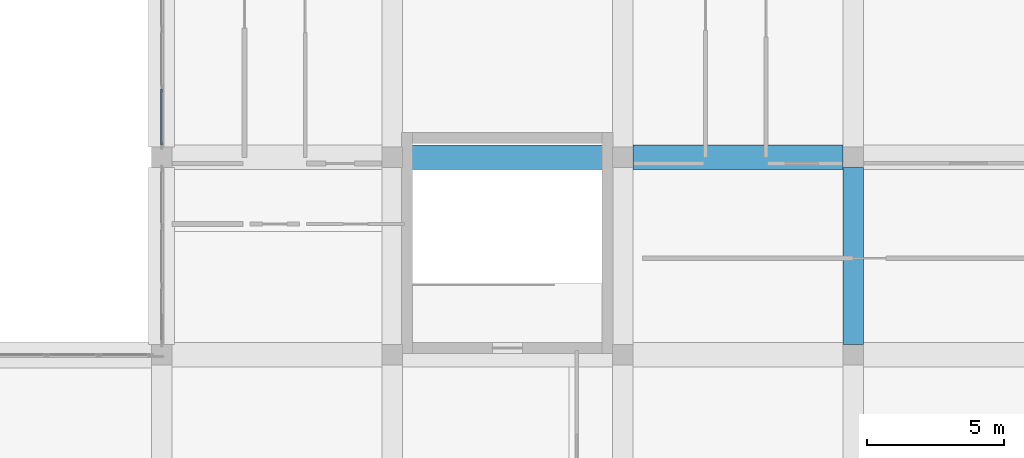
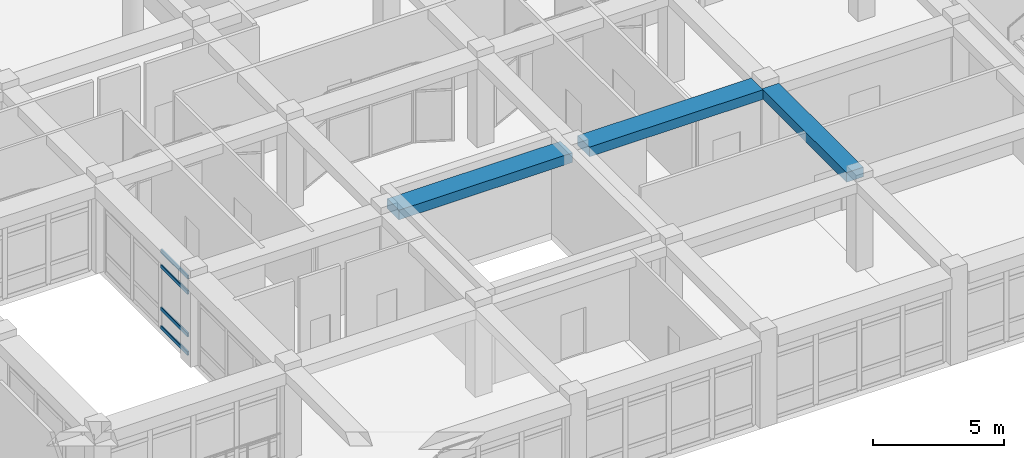
# One storey, part 19 of 121: 4 members, 3 beams, 1 element without a shape of its own.
"""IFC4 building model written with IfcOpenShell, lengths in metres."""

from ifc_helpers import new_model, si_unit, derived_unit, direction, frame, origin, origin_2d, place, context, subcontext, project, spatial, rectangle, hollow_rectangle, extrude, material, material_profile, profile_set, type_object, element, aggregate, save


model = new_model("IFC4")

# Units and contexts
model_context = context("Model", 3, precision=1e-05, world=origin(), true_north=direction((0.0, 1.0)))
body_context = subcontext(model_context, "Body", "Model", "MODEL_VIEW")
ifc_project = project(units=[si_unit("LENGTHUNIT", "METRE"), si_unit("AREAUNIT", "SQUARE_METRE"), si_unit("VOLUMEUNIT", "CUBIC_METRE"), si_unit("PLANEANGLEUNIT", "RADIAN"), si_unit("MASSUNIT", "GRAM", prefix="KILO"), derived_unit("THERMALTRANSMITTANCEUNIT", [(si_unit("POWERUNIT", "WATT"), 1), (si_unit("LENGTHUNIT", "METRE"), -2), (si_unit("THERMODYNAMICTEMPERATUREUNIT", "KELVIN"), -1)])], contexts=[model_context])

# Site, building, storey
site_placement = place(None, origin())
site = spatial("IfcSite", under=ifc_project, at=site_placement, CompositionType="ELEMENT")
building_placement = place(site_placement, origin())
building = spatial("IfcBuilding", under=site, at=building_placement, Name="Veybourne Emporium", CompositionType="ELEMENT")
storey_placement = place(building_placement, frame((0.0, 0.0, 5.39990234375)))
storey = spatial("IfcBuildingStorey", under=building, at=storey_placement, Name="L01", CompositionType="ELEMENT", Elevation=5.39990234375)

# Curtain wall, members
ifc_material_1 = material(Name="Patinated Architectural Bronze", Category="bronze")
curtain_wall_type = type_object("IfcCurtainWallType", Name="CWSystem_CWS-14", PredefinedType="NOTDEFINED", material=ifc_material_1)
curtain_wall_placement = place(storey_placement, origin())
curtain_wall = element("IfcCurtainWall", 1, at=curtain_wall_placement, inside=storey, type_object=curtain_wall_type, Name="L01 bronze glazed curtain wall CWS-14 (039)", PredefinedType="NOTDEFINED")
ifc_material_profile_1 = material_profile(ifc_material_1, hollow_rectangle(XDim=0.074951171875, YDim=0.179931640625, WallThickness=0.0048828125, InnerFilletRadius=0.007568359375, OuterFilletRadius=0.012451171875, at=origin_2d()), Name="CWT 75x180x5")
ifc_profile_set_1 = profile_set([ifc_material_profile_1], Name="Patinated Architectural Bronze")
member_type = type_object("IfcMemberType", Name="CWTransom_CW-T2", PredefinedType="NOTDEFINED", material=ifc_profile_set_1)
member_1_placement = place(storey_placement, frame((67.199951171875, 14.85009765625, 0.03759765625), z_axis=(0.0, 1.0, 0.0), x_axis=(-1.0, 0.0, 0.0)))
member_1 = element("IfcMember", 2, at=member_1_placement, type_object=member_type, Name="CWS-14 transom 1.1", ObjectType="TRANSOM", PredefinedType="USERDEFINED", context=body_context, shape_type="SweptSolid", body=[
    extrude(hollow_rectangle(XDim=0.074951171875, YDim=0.179931640625, WallThickness=0.0048828125, InnerFilletRadius=0.007568359375, OuterFilletRadius=0.012451171875, at=origin_2d()), origin(), (0.0, 0.0, 1.0), 2.037353515625),
])
member_2_placement = place(storey_placement, frame((67.199951171875, 14.85009765625, 0.900146484375), z_axis=(0.0, 1.0, 0.0), x_axis=(-1.0, 0.0, 0.0)))
member_2 = element("IfcMember", 3, at=member_2_placement, type_object=member_type, Name="CWS-14 transom 1.2", ObjectType="TRANSOM", PredefinedType="USERDEFINED", context=body_context, shape_type="SweptSolid", body=[
    extrude(hollow_rectangle(XDim=0.074951171875, YDim=0.179931640625, WallThickness=0.0048828125, InnerFilletRadius=0.007568359375, OuterFilletRadius=0.012451171875, at=origin_2d()), origin(), (0.0, 0.0, 1.0), 2.037353515625),
])
member_3_placement = place(storey_placement, frame((67.199951171875, 14.85009765625, 2.880126953125), z_axis=(0.0, 1.0, 0.0), x_axis=(-1.0, 0.0, 0.0)))
member_3 = element("IfcMember", 4, at=member_3_placement, type_object=member_type, Name="CWS-14 transom 1.3", ObjectType="TRANSOM", PredefinedType="USERDEFINED", context=body_context, shape_type="SweptSolid", body=[
    extrude(hollow_rectangle(XDim=0.074951171875, YDim=0.179931640625, WallThickness=0.0048828125, InnerFilletRadius=0.007568359375, OuterFilletRadius=0.012451171875, at=origin_2d()), origin(), (0.0, 0.0, 1.0), 2.037353515625),
])
member_4_placement = place(storey_placement, frame((67.199951171875, 14.85009765625, 3.592529296875), z_axis=(0.0, 1.0, 0.0), x_axis=(-1.0, 0.0, 0.0)))
member_4 = element("IfcMember", 5, at=member_4_placement, type_object=member_type, Name="CWS-14 transom 1.4", ObjectType="TRANSOM", PredefinedType="USERDEFINED", context=body_context, shape_type="SweptSolid", body=[
    extrude(hollow_rectangle(XDim=0.074951171875, YDim=0.179931640625, WallThickness=0.0048828125, InnerFilletRadius=0.007568359375, OuterFilletRadius=0.012451171875, at=origin_2d()), origin(), (0.0, 0.0, 1.0), 2.037353515625),
])
aggregate(curtain_wall, [member_1, member_2, member_3, member_4])

# Beams
ifc_material_2 = material(Name="Concrete C32/40", Category="concrete")
ifc_material_profile_2 = material_profile(ifc_material_2, rectangle(XDim=0.89990234375, YDim=0.449951171875, at=origin_2d()), Name="RC 900x450")
ifc_profile_set_2 = profile_set([ifc_material_profile_2], Name="Concrete C32/40")
beam_type_1 = type_object("IfcBeamType", Name="RCBeam_BB-03", PredefinedType="BEAM", material=ifc_profile_set_2)
for number, where, z_axis, x_axis, name in (
    (6, (75.97509765625, 14.39990234375, 3.955078125), (1.0, 0.0, 0.0), (0.0, 1.0, 0.0), "L01 X-grid beam BB-03 (9,2)"),
    (7, (84.375, 14.39990234375, 3.955078125), (1.0, 0.0, 0.0), (0.0, 1.0, 0.0), "L01 X-grid beam BB-03 (10,2)"),
):
    element("IfcBeam", number, at=place(storey_placement, frame(where, z_axis=z_axis, x_axis=x_axis)), inside=storey, type_object=beam_type_1, Name=name, PredefinedType="BEAM", context=body_context, shape_type="SweptSolid", body=[
        extrude(rectangle(XDim=0.89990234375, YDim=0.449951171875, at=origin_2d()), origin(), (0.0, 0.0, 1.0), 7.64990234375),
    ])
ifc_material_profile_3 = material_profile(ifc_material_2, rectangle(XDim=0.75, YDim=0.449951171875, at=origin_2d()), Name="RC 750x450")
ifc_profile_set_3 = profile_set([ifc_material_profile_3], Name="Concrete C32/40")
beam_type_2 = type_object("IfcBeamType", Name="RCBeam_BB-04", PredefinedType="BEAM", material=ifc_profile_set_3)
beam_placement = place(storey_placement, frame((92.39990234375, 7.574951171875, 3.955078125), z_axis=(0.0, 1.0, 0.0), x_axis=(-1.0, 0.0, 0.0)))
element("IfcBeam", 8, at=beam_placement, inside=storey, type_object=beam_type_2, Name="L01 Y-grid beam BB-04 (11,1)", PredefinedType="BEAM", context=body_context, shape_type="SweptSolid", body=[
    extrude(rectangle(XDim=0.75, YDim=0.449951171875, at=origin_2d()), origin(), (0.0, 0.0, 1.0), 6.449951171875),
])

save(model, "model.ifc")
